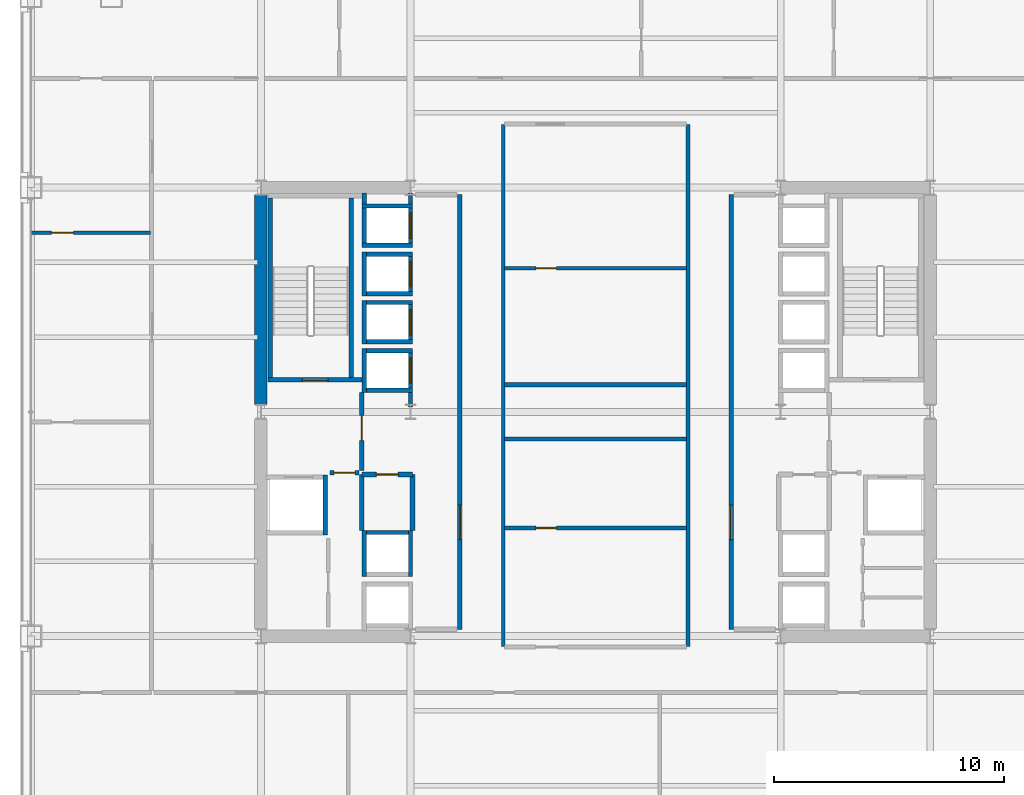
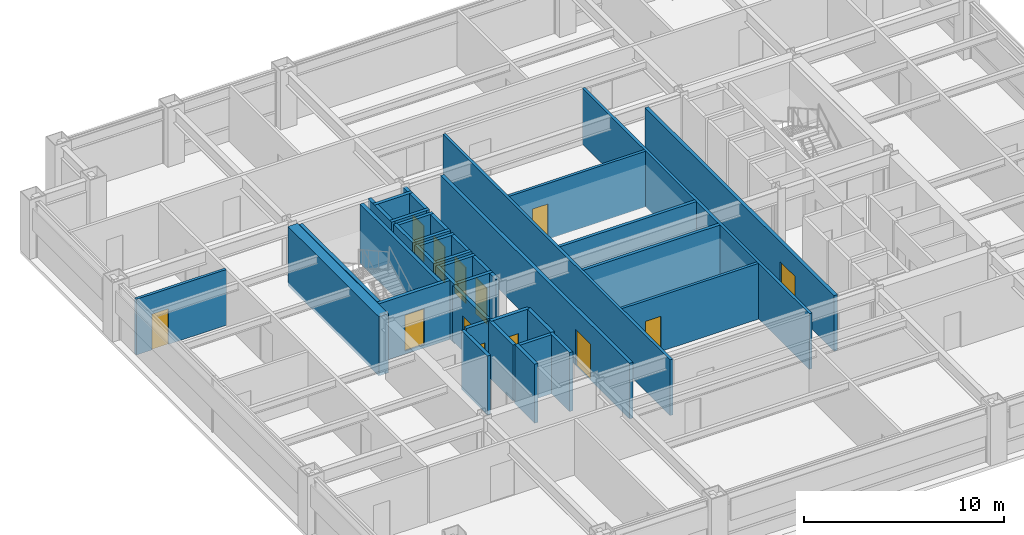
# One storey, part 25 of 28: 38 walls, 13 doors, 13 openings.
"""IFC4 building model written with IfcOpenShell, lengths in metres."""

from ifc_helpers import new_model, si_unit, direction, frame, frame_2d, origin, place, context, subcontext, project, spatial, rectangle, extrude, material, layer, layer_set, type_object, element, fill, save


model = new_model("IFC4")

# Units and contexts
model_context = context("Model", 3, precision=1e-05, world=origin(), true_north=direction((0.0, 1.0)))
body_context = subcontext(model_context, "Body", "Model", "MODEL_VIEW")
ifc_project = project(units=[si_unit("LENGTHUNIT", "METRE"), si_unit("AREAUNIT", "SQUARE_METRE"), si_unit("VOLUMEUNIT", "CUBIC_METRE"), si_unit("PLANEANGLEUNIT", "RADIAN"), si_unit("MASSUNIT", "GRAM", prefix="KILO")], contexts=[model_context])

# Site, building, storey
site_placement = place(None, origin())
site = spatial("IfcSite", under=ifc_project, at=site_placement, CompositionType="ELEMENT")
building_placement = place(site_placement, origin())
building = spatial("IfcBuilding", under=site, at=building_placement, Name="Brelmoor Portico Tower", CompositionType="ELEMENT")
storey_placement = place(building_placement, frame((0.0, 0.0, 49.199951171875)))
storey = spatial("IfcBuildingStorey", under=building, at=storey_placement, Name="L12", CompositionType="ELEMENT", Elevation=49.199951171875)

# Walls
ifc_material_1 = material(Name="Concrete C60", Category="concrete")
ifc_layer_1 = layer(ifc_material_1, 0.550048828125)
ifc_layer_set_1 = layer_set([ifc_layer_1], Name="Concrete C60")
wall_type_1 = type_object("IfcWallType", Name="WL-CORE-550", PredefinedType="SHEAR", material=ifc_layer_set_1)
wall_1_placement = place(storey_placement, frame((-14.550048828125, 0.324951171875, -0.199951171875), z_axis=(0.0, 0.0, 1.0), x_axis=(0.0, 1.0, 0.0)))
element("IfcWall", 1, at=wall_1_placement, inside=storey, type_object=wall_type_1, Name="L12 WC Outer North Shear Wall", PredefinedType="SHEAR", context=body_context, shape_type="SweptSolid", body=[
    extrude(rectangle(XDim=9.10009765625, YDim=0.550048828125, at=frame_2d((4.550048828125, 0.0))), origin(), (0.0, 0.0, 1.0), 3.60009765625),
])
ifc_material_2 = material(Name="Twin-Frame Acoustic Partition", Category="gypsum")
ifc_layer_2 = layer(ifc_material_2, 0.159912109375)
ifc_layer_set_2 = layer_set([ifc_layer_2], Name="Twin-Frame Acoustic Partition")
wall_type_2 = type_object("IfcWallType", Name="WL-PART-160", PredefinedType="PARTITIONING", material=ifc_layer_set_2)
for number, where, z_axis, x_axis, name in (
    (2, (-4.02001953125, -10.199951171875, 0.0), (0.0, 0.0, 1.0), (0.0, 1.0, 0.0), "L12 Central Suite West Wall"),
    (3, (4.02001953125, -10.199951171875, 0.0), (0.0, 0.0, 1.0), (0.0, 1.0, 0.0), "L12 Central Suite East Wall"),
):
    element("IfcWall", number, at=place(storey_placement, frame(where, z_axis=z_axis, x_axis=x_axis)), inside=storey, type_object=wall_type_2, Name=name, PredefinedType="PARTITIONING", context=body_context, shape_type="SweptSolid", body=[
        extrude(rectangle(XDim=22.699951171875, YDim=0.159912109375, at=frame_2d((11.35009765625, 0.0))), origin(), (0.0, 0.0, 1.0), 3.400146484375),
    ])

# Wall, opening, door
wall_2_placement = place(storey_placement, frame((-3.949951171875, 6.239990234375, 0.0), z_axis=(0.0, 0.0, 1.0), x_axis=(1.0, 0.0, 0.0)))
wall_2 = element("IfcWall", 4, at=wall_2_placement, inside=storey, type_object=wall_type_2, Name="L12 Central Archive Divider", PredefinedType="PARTITIONING", context=body_context, shape_type="SweptSolid", body=[
    extrude(rectangle(XDim=7.89990234375, YDim=0.159912109375, at=frame_2d((3.949951171875, 0.0))), origin(), (0.0, 0.0, 1.0), 3.400146484375),
])
opening_1_placement = place(wall_2_placement, frame((1.35009765625, 0.0, 0.0)))
opening_1 = element("IfcOpeningElement", 5, at=opening_1_placement, cuts=wall_2, Name="Opening D-IN1", PredefinedType="OPENING", context=body_context, shape_type="SweptSolid", body=[
    extrude(rectangle(XDim=0.89990234375, YDim=2.14990234375, at=frame_2d((0.449951171875, 1.074951171875))), frame((0.0, 0.08984375, 0.0), z_axis=(0.0, -1.0, 0.0), x_axis=(1.0, 0.0, 0.0)), (0.0, 0.0, 1.0), 0.179931640625),
])
ifc_material_3 = material(Name="Lacquered Timber Suite Door", Category="wood")
door_type_1 = type_object("IfcDoorType", Name="DR-INT-900", OperationType="NOTDEFINED", PredefinedType="DOOR", material=ifc_material_3)
door_1_placement = place(opening_1_placement, origin())
door_1 = element("IfcDoor", 6, at=door_1_placement, inside=storey, type_object=door_type_1, Name="D-0528 L12 Central File Room Door", OperationType="SINGLE_SWING_LEFT", OverallHeight=2.14990234375, OverallWidth=0.89990234375, PredefinedType="DOOR", context=body_context, shape_type="SweptSolid", body=[
    extrude(rectangle(XDim=0.89990234375, YDim=2.14990234375, at=frame_2d((0.449951171875, 1.074951171875))), frame((0.0, 0.02490234375, 0.0), z_axis=(0.0, -1.0, 0.0), x_axis=(1.0, 0.0, 0.0)), (0.0, 0.0, 1.0), 0.050048828125),
])
fill(opening_1, door_1)

wall_3_placement = place(storey_placement, frame((-3.949951171875, -5.050048828125, 0.0), z_axis=(0.0, 0.0, 1.0), x_axis=(1.0, 0.0, 0.0)))
wall_3 = element("IfcWall", 7, at=wall_3_placement, inside=storey, type_object=wall_type_2, Name="L12 Central Print Divider", PredefinedType="PARTITIONING", context=body_context, shape_type="SweptSolid", body=[
    extrude(rectangle(XDim=7.89990234375, YDim=0.159912109375, at=frame_2d((3.949951171875, 0.0))), origin(), (0.0, 0.0, 1.0), 3.400146484375),
])
opening_2_placement = place(wall_3_placement, frame((1.35009765625, 0.0, 0.0)))
opening_2 = element("IfcOpeningElement", 8, at=opening_2_placement, cuts=wall_3, Name="Opening D-IN1", PredefinedType="OPENING", context=body_context, shape_type="SweptSolid", body=[
    extrude(rectangle(XDim=0.89990234375, YDim=2.14990234375, at=frame_2d((0.449951171875, 1.074951171875))), frame((0.0, 0.08984375, 0.0), z_axis=(0.0, -1.0, 0.0), x_axis=(1.0, 0.0, 0.0)), (0.0, 0.0, 1.0), 0.179931640625),
])
door_2_placement = place(opening_2_placement, origin())
door_2 = element("IfcDoor", 9, at=door_2_placement, inside=storey, type_object=door_type_1, Name="D-0530 L12 Central Print Studio Door", OperationType="SINGLE_SWING_RIGHT", OverallHeight=2.14990234375, OverallWidth=0.89990234375, PredefinedType="DOOR", context=body_context, shape_type="SweptSolid", body=[
    extrude(rectangle(XDim=0.89990234375, YDim=2.14990234375, at=frame_2d((0.449951171875, 1.074951171875))), frame((0.0, 0.02490234375, 0.0), z_axis=(0.0, -1.0, 0.0), x_axis=(1.0, 0.0, 0.0)), (0.0, 0.0, 1.0), 0.050048828125),
])
fill(opening_2, door_2)

wall_4_placement = place(storey_placement, frame((-24.56005859375, 7.784912109375, 0.0), z_axis=(0.0, 0.0, 1.0), x_axis=(1.0, 0.0, 0.0)))
wall_4 = element("IfcWall", 10, at=wall_4_placement, inside=storey, type_object=wall_type_2, Name="L12 W Wing Partition 2", PredefinedType="PARTITIONING", context=body_context, shape_type="SweptSolid", body=[
    extrude(rectangle(XDim=5.199951171875, YDim=0.159912109375, at=frame_2d((2.60009765625, 0.0))), origin(), (0.0, 0.0, 1.0), 3.400146484375),
])
opening_3_placement = place(wall_4_placement, frame((0.89990234375, 0.0, 0.0)))
opening_3 = element("IfcOpeningElement", 11, at=opening_3_placement, cuts=wall_4, Name="Opening D-IN2", PredefinedType="OPENING", context=body_context, shape_type="SweptSolid", body=[
    extrude(rectangle(XDim=0.9599609375, YDim=2.179931640625, at=frame_2d((0.47998046875, 1.08984375))), frame((0.0, 0.08984375, 0.0), z_axis=(0.0, -1.0, 0.0), x_axis=(1.0, 0.0, 0.0)), (0.0, 0.0, 1.0), 0.179931640625),
])
door_type_2 = type_object("IfcDoorType", Name="DR-INT-950", OperationType="NOTDEFINED", PredefinedType="DOOR", material=ifc_material_3)
door_3_placement = place(opening_3_placement, origin())
door_3 = element("IfcDoor", 12, at=door_3_placement, inside=storey, type_object=door_type_2, Name="D-0568 L12 W Wing Suite Connecting Door 2", OperationType="SINGLE_SWING_RIGHT", OverallHeight=2.179931640625, OverallWidth=0.9599609375, PredefinedType="DOOR", context=body_context, shape_type="SweptSolid", body=[
    extrude(rectangle(XDim=0.9599609375, YDim=2.179931640625, at=frame_2d((0.47998046875, 1.08984375))), frame((0.0, 0.02490234375, 0.0), z_axis=(0.0, -1.0, 0.0), x_axis=(1.0, 0.0, 0.0)), (0.0, 0.0, 1.0), 0.050048828125),
])
fill(opening_3, door_3)

# Walls
ifc_material_4 = material(Name="Acoustic Corridor Fire Partition", Category="gypsum")
ifc_layer_3 = layer(ifc_material_4, 0.179931640625)
ifc_layer_set_3 = layer_set([ifc_layer_3], Name="Acoustic Corridor Fire Partition")
wall_type_3 = type_object("IfcWallType", Name="WL-PART-180", PredefinedType="PARTITIONING", material=ifc_layer_set_3)
for number, where, z_axis, x_axis, name in (
    (13, (-3.949951171875, 1.179931640625, 0.0), (0.0, 0.0, 1.0), (1.0, 0.0, 0.0), "L12 Central Meeting South Wall"),
    (14, (-3.949951171875, -1.179931640625, 0.0), (0.0, 0.0, 1.0), (1.0, 0.0, 0.0), "L12 Central Pantry North Wall"),
):
    element("IfcWall", number, at=place(storey_placement, frame(where, z_axis=z_axis, x_axis=x_axis)), inside=storey, type_object=wall_type_3, Name=name, PredefinedType="PARTITIONING", context=body_context, shape_type="SweptSolid", body=[
        extrude(rectangle(XDim=7.89990234375, YDim=0.179931640625, at=frame_2d((3.949951171875, 0.0))), origin(), (0.0, 0.0, 1.0), 3.400146484375),
    ])

# Wall, opening, door
ifc_material_5 = material(Name="Double-Stud Gypsum Fire Partition", Category="gypsum")
ifc_layer_4 = layer(ifc_material_5, 0.199951171875)
ifc_layer_set_4 = layer_set([ifc_layer_4], Name="Double-Stud Gypsum Fire Partition")
wall_type_4 = type_object("IfcWallType", Name="WL-PART-200", PredefinedType="PARTITIONING", material=ifc_layer_set_4)
wall_5_placement = place(storey_placement, frame((-5.89990234375, -9.449951171875, 0.0), z_axis=(0.0, 0.0, 1.0), x_axis=(0.0, 1.0, 0.0)))
wall_5 = element("IfcWall", 15, at=wall_5_placement, inside=storey, type_object=wall_type_4, Name="L12 W Core Lobby Compartment Wall", PredefinedType="PARTITIONING", context=body_context, shape_type="SweptSolid", body=[
    extrude(rectangle(XDim=18.89990234375, YDim=0.199951171875, at=frame_2d((9.449951171875, 0.0))), origin(), (0.0, 0.0, 1.0), 3.400146484375),
])
opening_4_placement = place(wall_5_placement, frame((3.89990234375, 0.0, 0.0)))
opening_4 = element("IfcOpeningElement", 16, at=opening_4_placement, cuts=wall_5, Name="Opening D-LB1", PredefinedType="OPENING", context=body_context, shape_type="SweptSolid", body=[
    extrude(rectangle(XDim=1.5, YDim=2.199951171875, at=frame_2d((0.75, 1.10009765625))), frame((0.0, 0.10986328125, 0.0), z_axis=(0.0, -1.0, 0.0), x_axis=(1.0, 0.0, 0.0)), (0.0, 0.0, 1.0), 0.219970703125),
])
ifc_material_6 = material(Name="Double-Leaf Glazed Steel Fire Door", Category="steel")
door_type_3 = type_object("IfcDoorType", Name="DR-LOBBY-1500", OperationType="NOTDEFINED", PredefinedType="DOOR", material=ifc_material_6)
door_4_placement = place(opening_4_placement, origin())
door_4 = element("IfcDoor", 17, at=door_4_placement, inside=storey, type_object=door_type_3, Name="D-0542 L12 W Lift Lobby Main Door", OperationType="DOUBLE_DOOR_SINGLE_SWING", OverallHeight=2.199951171875, OverallWidth=1.5, PredefinedType="DOOR", context=body_context, shape_type="SweptSolid", body=[
    extrude(rectangle(XDim=1.5, YDim=2.199951171875, at=frame_2d((0.75, 1.10009765625))), frame((0.0, 0.02490234375, 0.0), z_axis=(0.0, -1.0, 0.0), x_axis=(1.0, 0.0, 0.0)), (0.0, 0.0, 1.0), 0.050048828125),
])
fill(opening_4, door_4)

wall_6_placement = place(storey_placement, frame((-10.159912109375, -2.550048828125, 0.0), z_axis=(0.0, 0.0, 1.0), x_axis=(0.0, 1.0, 0.0)))
wall_6 = element("IfcWall", 18, at=wall_6_placement, inside=storey, type_object=wall_type_4, Name="L12 W Firefighting Lobby Wall", PredefinedType="PARTITIONING", context=body_context, shape_type="SweptSolid", body=[
    extrude(rectangle(XDim=3.400146484375, YDim=0.199951171875, at=frame_2d((1.7001953125, 0.0))), origin(), (0.0, 0.0, 1.0), 3.400146484375),
])
opening_5_placement = place(wall_6_placement, frame((1.300048828125, 0.0, 0.0)))
opening_5 = element("IfcOpeningElement", 19, at=opening_5_placement, cuts=wall_6, Name="Opening D-FR1", PredefinedType="OPENING", context=body_context, shape_type="SweptSolid", body=[
    extrude(rectangle(XDim=1.10009765625, YDim=2.14990234375, at=frame_2d((0.550048828125, 1.074951171875))), frame((0.0, 0.10986328125, 0.0), z_axis=(0.0, -1.0, 0.0), x_axis=(1.0, 0.0, 0.0)), (0.0, 0.0, 1.0), 0.219970703125),
])
ifc_material_7 = material(Name="Painted Galvanised Steel Fire Door", Category="steel")
door_type_4 = type_object("IfcDoorType", Name="DR-FIRE-1100", OperationType="NOTDEFINED", PredefinedType="DOOR", material=ifc_material_7)
door_5_placement = place(opening_5_placement, origin())
door_5 = element("IfcDoor", 20, at=door_5_placement, inside=storey, type_object=door_type_4, Name="D-0540 L12 W Firefighting Lobby Door", OperationType="SINGLE_SWING_LEFT", OverallHeight=2.14990234375, OverallWidth=1.10009765625, PredefinedType="DOOR", context=body_context, shape_type="SweptSolid", body=[
    extrude(rectangle(XDim=1.10009765625, YDim=2.14990234375, at=frame_2d((0.550048828125, 1.074951171875))), frame((0.0, 0.02490234375, 0.0), z_axis=(0.0, -1.0, 0.0), x_axis=(1.0, 0.0, 0.0)), (0.0, 0.0, 1.0), 0.050048828125),
])
fill(opening_5, door_5)

wall_7_placement = place(storey_placement, frame((-10.280029296875, -2.64990234375, 0.0), z_axis=(0.0, 0.0, 1.0), x_axis=(-1.0, 0.0, 0.0)))
wall_7 = element("IfcWall", 21, at=wall_7_placement, inside=storey, type_object=wall_type_4, Name="L12 W Firefighting Lobby South Wall", PredefinedType="PARTITIONING", context=body_context, shape_type="SweptSolid", body=[
    extrude(rectangle(XDim=1.27001953125, YDim=0.199951171875, at=frame_2d((0.635009765625, 0.0))), origin(), (0.0, 0.0, 1.0), 3.400146484375),
])
opening_6_placement = place(wall_7_placement, frame((0.18505859375, 0.0, 0.0)))
opening_6 = element("IfcOpeningElement", 22, at=opening_6_placement, cuts=wall_7, Name="Opening D-IN1", PredefinedType="OPENING", context=body_context, shape_type="SweptSolid", body=[
    extrude(rectangle(XDim=0.89990234375, YDim=2.14990234375, at=frame_2d((0.449951171875, 1.074951171875))), frame((0.0, 0.10986328125, 0.0), z_axis=(0.0, -1.0, 0.0), x_axis=(1.0, 0.0, 0.0)), (0.0, 0.0, 1.0), 0.219970703125),
])
door_6_placement = place(opening_6_placement, origin())
door_6 = element("IfcDoor", 23, at=door_6_placement, inside=storey, type_object=door_type_1, Name="D-0535 L12 W Core Service Vestibule Door", OperationType="SINGLE_SWING_RIGHT", OverallHeight=2.14990234375, OverallWidth=0.89990234375, PredefinedType="DOOR", context=body_context, shape_type="SweptSolid", body=[
    extrude(rectangle(XDim=0.89990234375, YDim=2.14990234375, at=frame_2d((0.449951171875, 1.074951171875))), frame((0.0, 0.02490234375, 0.0), z_axis=(0.0, -1.0, 0.0), x_axis=(1.0, 0.0, 0.0)), (0.0, 0.0, 1.0), 0.050048828125),
])
fill(opening_6, door_6)

wall_8_placement = place(storey_placement, frame((-7.9599609375, -2.719970703125, 0.0), z_axis=(0.0, 0.0, 1.0), x_axis=(-1.0, 0.0, 0.0)))
wall_8 = element("IfcWall", 24, at=wall_8_placement, inside=storey, type_object=wall_type_4, Name="L12 W Electrical Switchgear Closet Wall", PredefinedType="PARTITIONING", context=body_context, shape_type="SweptSolid", body=[
    extrude(rectangle(XDim=2.199951171875, YDim=0.199951171875, at=frame_2d((1.10009765625, 0.0))), origin(), (0.0, 0.0, 1.0), 3.400146484375),
])
opening_7_placement = place(wall_8_placement, frame((0.6201171875, 0.0, 0.0)))
opening_7 = element("IfcOpeningElement", 25, at=opening_7_placement, cuts=wall_8, Name="Opening D-FR4", PredefinedType="OPENING", context=body_context, shape_type="SweptSolid", body=[
    extrude(rectangle(XDim=0.949951171875, YDim=2.10009765625, at=frame_2d((0.47509765625, 1.050048828125))), frame((0.0, 0.10986328125, 0.0), z_axis=(0.0, -1.0, 0.0), x_axis=(1.0, 0.0, 0.0)), (0.0, 0.0, 1.0), 0.219970703125),
])
ifc_material_8 = material(Name="Painted Galvanised Steel Riser Door", Category="steel")
door_type_5 = type_object("IfcDoorType", Name="DR-FIRE-950", OperationType="NOTDEFINED", PredefinedType="DOOR", material=ifc_material_8)
door_7_placement = place(opening_7_placement, origin())
door_7 = element("IfcDoor", 26, at=door_7_placement, inside=storey, type_object=door_type_5, Name="D-0538 L12 W Electrical Switchgear Closet Door", OperationType="SINGLE_SWING_LEFT", OverallHeight=2.10009765625, OverallWidth=0.949951171875, PredefinedType="DOOR", context=body_context, shape_type="SweptSolid", body=[
    extrude(rectangle(XDim=0.949951171875, YDim=2.10009765625, at=frame_2d((0.47509765625, 1.050048828125))), frame((0.0, 0.02490234375, 0.0), z_axis=(0.0, -1.0, 0.0), x_axis=(1.0, 0.0, 0.0)), (0.0, 0.0, 1.0), 0.050048828125),
])
fill(opening_7, door_7)

# Walls
for number, where, z_axis, x_axis, name in (
    (27, (-7.9599609375, -5.159912109375, 0.0), (0.0, 0.0, 1.0), (0.0, 1.0, 0.0), "L12 W Electrical Switchgear Closet Inner Wall"),
    (28, (-10.159912109375, -5.159912109375, 0.0), (0.0, 0.0, 1.0), (0.0, 1.0, 0.0), "L12 W Electrical Switchgear Closet Outer Wall"),
):
    element("IfcWall", number, at=place(storey_placement, frame(where, z_axis=z_axis, x_axis=x_axis)), inside=storey, type_object=wall_type_4, Name=name, PredefinedType="PARTITIONING", context=body_context, shape_type="SweptSolid", body=[
        extrude(rectangle(XDim=2.43994140625, YDim=0.199951171875, at=frame_2d((1.219970703125, 0.0))), origin(), (0.0, 0.0, 1.0), 3.400146484375),
    ])

# Wall, opening, door
wall_9_placement = place(storey_placement, frame((5.89990234375, -9.449951171875, 0.0), z_axis=(0.0, 0.0, 1.0), x_axis=(0.0, 1.0, 0.0)))
wall_9 = element("IfcWall", 29, at=wall_9_placement, inside=storey, type_object=wall_type_4, Name="L12 E Core Lobby Compartment Wall", PredefinedType="PARTITIONING", context=body_context, shape_type="SweptSolid", body=[
    extrude(rectangle(XDim=18.89990234375, YDim=0.199951171875, at=frame_2d((9.449951171875, 0.0))), origin(), (0.0, 0.0, 1.0), 3.400146484375),
])
opening_8_placement = place(wall_9_placement, frame((3.89990234375, 0.0, 0.0)))
opening_8 = element("IfcOpeningElement", 30, at=opening_8_placement, cuts=wall_9, Name="Opening D-LB1", PredefinedType="OPENING", context=body_context, shape_type="SweptSolid", body=[
    extrude(rectangle(XDim=1.5, YDim=2.199951171875, at=frame_2d((0.75, 1.10009765625))), frame((0.0, 0.10986328125, 0.0), z_axis=(0.0, -1.0, 0.0), x_axis=(1.0, 0.0, 0.0)), (0.0, 0.0, 1.0), 0.219970703125),
])
door_8_placement = place(opening_8_placement, origin())
door_8 = element("IfcDoor", 31, at=door_8_placement, inside=storey, type_object=door_type_3, Name="D-0541 L12 E Lift Lobby Main Door", OperationType="DOUBLE_DOOR_SINGLE_SWING", OverallHeight=2.199951171875, OverallWidth=1.5, PredefinedType="DOOR", context=body_context, shape_type="SweptSolid", body=[
    extrude(rectangle(XDim=1.5, YDim=2.199951171875, at=frame_2d((0.75, 1.10009765625))), frame((0.0, 0.02490234375, 0.0), z_axis=(0.0, -1.0, 0.0), x_axis=(1.0, 0.0, 0.0)), (0.0, 0.0, 1.0), 0.050048828125),
])
fill(opening_8, door_8)

ifc_material_9 = material(Name="Precast Concrete C40", Category="concrete")
ifc_layer_5 = layer(ifc_material_9, 0.18994140625)
ifc_layer_set_5 = layer_set([ifc_layer_5], Name="Precast Concrete C40")
wall_type_5 = type_object("IfcWallType", Name="WL-SHAFT-180", PredefinedType="SOLIDWALL", material=ifc_layer_set_5)
wall_10_placement = place(storey_placement, frame((-8.044921875, 0.2099609375, -0.199951171875), z_axis=(0.0, 0.0, 1.0), x_axis=(0.0, 1.0, 0.0)))
wall_10 = element("IfcWall", 32, at=wall_10_placement, inside=storey, type_object=wall_type_5, Name="L12 Lift PL1 Hoistway Front Wall", PredefinedType="SOLIDWALL", context=body_context, shape_type="SweptSolid", body=[
    extrude(rectangle(XDim=2.5400390625, YDim=0.18994140625, at=frame_2d((1.27001953125, 0.0))), origin(), (0.0, 0.0, 1.0), 3.60009765625),
])
opening_9_placement = place(wall_10_placement, frame((1.0400390625, 0.0, 0.199951171875)))
opening_9 = element("IfcOpeningElement", 33, at=opening_9_placement, cuts=wall_10, Name="Opening LD-01", PredefinedType="OPENING", context=body_context, shape_type="SweptSolid", body=[
    extrude(rectangle(XDim=1.10009765625, YDim=2.199951171875, at=frame_2d((0.550048828125, 1.10009765625))), frame((0.0, 0.10498046875, 0.0), z_axis=(0.0, -1.0, 0.0), x_axis=(1.0, 0.0, 0.0)), (0.0, 0.0, 1.0), 0.2099609375),
])
ifc_material_10 = material(Name="Brushed Stainless Steel Sliding Lift Door", Category="steel")
door_type_6 = type_object("IfcDoorType", Name="DR-LIFT-1100", OperationType="NOTDEFINED", PredefinedType="DOOR", material=ifc_material_10)
door_9_placement = place(opening_9_placement, origin())
door_9 = element("IfcDoor", 34, at=door_9_placement, inside=storey, type_object=door_type_6, Name="D-0571 L12 Lift PL1 Sliding Landing Door", OperationType="SLIDING_TO_LEFT", OverallHeight=2.199951171875, OverallWidth=1.10009765625, PredefinedType="DOOR", context=body_context, shape_type="SweptSolid", body=[
    extrude(rectangle(XDim=1.10009765625, YDim=2.199951171875, at=frame_2d((0.550048828125, 1.10009765625))), frame((0.0, 0.02490234375, 0.0), z_axis=(0.0, -1.0, 0.0), x_axis=(1.0, 0.0, 0.0)), (0.0, 0.0, 1.0), 0.050048828125),
])
fill(opening_9, door_9)

# Walls
wall_11_placement = place(storey_placement, frame((-10.054931640625, 0.85009765625, -0.199951171875), z_axis=(0.0, 0.0, 1.0), x_axis=(0.0, 1.0, 0.0)))
element("IfcWall", 35, at=wall_11_placement, inside=storey, type_object=wall_type_5, Name="L12 Lift PL1 Hoistway Back Wall", PredefinedType="SOLIDWALL", context=body_context, shape_type="SweptSolid", body=[
    extrude(rectangle(XDim=1.89990234375, YDim=0.18994140625, at=frame_2d((0.949951171875, 0.0))), origin(), (0.0, 0.0, 1.0), 3.60009765625),
])
for number, where, z_axis, x_axis, name in (
    (36, (-10.14990234375, 2.655029296875, -0.199951171875), (0.0, 0.0, 1.0), (1.0, 0.0, 0.0), "L12 Lift PL1 Hoistway North Wall"),
    (37, (-10.14990234375, 0.945068359375, -0.199951171875), (0.0, 0.0, 1.0), (1.0, 0.0, 0.0), "L12 Lift PL1 Hoistway South Wall"),
):
    element("IfcWall", number, at=place(storey_placement, frame(where, z_axis=z_axis, x_axis=x_axis)), inside=storey, type_object=wall_type_5, Name=name, PredefinedType="SOLIDWALL", context=body_context, shape_type="SweptSolid", body=[
        extrude(rectangle(XDim=2.199951171875, YDim=0.18994140625, at=frame_2d((1.10009765625, 0.0))), origin(), (0.0, 0.0, 1.0), 3.60009765625),
    ])

# Wall, opening, door
wall_12_placement = place(storey_placement, frame((-8.044921875, 2.949951171875, -0.199951171875), z_axis=(0.0, 0.0, 1.0), x_axis=(0.0, 1.0, 0.0)))
wall_12 = element("IfcWall", 38, at=wall_12_placement, inside=storey, type_object=wall_type_5, Name="L12 Lift PL2 Hoistway Front Wall", PredefinedType="SOLIDWALL", context=body_context, shape_type="SweptSolid", body=[
    extrude(rectangle(XDim=1.900146484375, YDim=0.18994140625, at=frame_2d((0.9501953125, 0.0))), origin(), (0.0, 0.0, 1.0), 3.60009765625),
])
opening_10_placement = place(wall_12_placement, frame((0.39990234375, 0.0, 0.199951171875)))
opening_10 = element("IfcOpeningElement", 39, at=opening_10_placement, cuts=wall_12, Name="Opening LD-01", PredefinedType="OPENING", context=body_context, shape_type="SweptSolid", body=[
    extrude(rectangle(XDim=1.10009765625, YDim=2.199951171875, at=frame_2d((0.550048828125, 1.10009765625))), frame((0.0, 0.10498046875, 0.0), z_axis=(0.0, -1.0, 0.0), x_axis=(1.0, 0.0, 0.0)), (0.0, 0.0, 1.0), 0.2099609375),
])
door_10_placement = place(opening_10_placement, origin())
door_10 = element("IfcDoor", 40, at=door_10_placement, inside=storey, type_object=door_type_6, Name="D-0572 L12 Lift PL2 Sliding Landing Door", OperationType="SLIDING_TO_LEFT", OverallHeight=2.199951171875, OverallWidth=1.10009765625, PredefinedType="DOOR", context=body_context, shape_type="SweptSolid", body=[
    extrude(rectangle(XDim=1.10009765625, YDim=2.199951171875, at=frame_2d((0.550048828125, 1.10009765625))), frame((0.0, 0.02490234375, 0.0), z_axis=(0.0, -1.0, 0.0), x_axis=(1.0, 0.0, 0.0)), (0.0, 0.0, 1.0), 0.050048828125),
])
fill(opening_10, door_10)

# Walls
wall_13_placement = place(storey_placement, frame((-10.054931640625, 2.949951171875, -0.199951171875), z_axis=(0.0, 0.0, 1.0), x_axis=(0.0, 1.0, 0.0)))
element("IfcWall", 41, at=wall_13_placement, inside=storey, type_object=wall_type_5, Name="L12 Lift PL2 Hoistway Back Wall", PredefinedType="SOLIDWALL", context=body_context, shape_type="SweptSolid", body=[
    extrude(rectangle(XDim=1.900146484375, YDim=0.18994140625, at=frame_2d((0.9501953125, 0.0))), origin(), (0.0, 0.0, 1.0), 3.60009765625),
])
for number, where, z_axis, x_axis, name in (
    (42, (-10.14990234375, 4.7548828125, -0.199951171875), (0.0, 0.0, 1.0), (1.0, 0.0, 0.0), "L12 Lift PL2 Hoistway North Wall"),
    (43, (-10.14990234375, 3.044921875, -0.199951171875), (0.0, 0.0, 1.0), (1.0, 0.0, 0.0), "L12 Lift PL2 Hoistway South Wall"),
):
    element("IfcWall", number, at=place(storey_placement, frame(where, z_axis=z_axis, x_axis=x_axis)), inside=storey, type_object=wall_type_5, Name=name, PredefinedType="SOLIDWALL", context=body_context, shape_type="SweptSolid", body=[
        extrude(rectangle(XDim=2.199951171875, YDim=0.18994140625, at=frame_2d((1.10009765625, 0.0))), origin(), (0.0, 0.0, 1.0), 3.60009765625),
    ])

# Wall, opening, door
wall_14_placement = place(storey_placement, frame((-8.044921875, 5.050048828125, -0.199951171875), z_axis=(0.0, 0.0, 1.0), x_axis=(0.0, 1.0, 0.0)))
wall_14 = element("IfcWall", 44, at=wall_14_placement, inside=storey, type_object=wall_type_5, Name="L12 Lift PL3 Hoistway Front Wall", PredefinedType="SOLIDWALL", context=body_context, shape_type="SweptSolid", body=[
    extrude(rectangle(XDim=1.89990234375, YDim=0.18994140625, at=frame_2d((0.949951171875, 0.0))), origin(), (0.0, 0.0, 1.0), 3.60009765625),
])
opening_11_placement = place(wall_14_placement, frame((0.39990234375, 0.0, 0.199951171875)))
opening_11 = element("IfcOpeningElement", 45, at=opening_11_placement, cuts=wall_14, Name="Opening LD-01", PredefinedType="OPENING", context=body_context, shape_type="SweptSolid", body=[
    extrude(rectangle(XDim=1.10009765625, YDim=2.199951171875, at=frame_2d((0.550048828125, 1.10009765625))), frame((0.0, 0.10498046875, 0.0), z_axis=(0.0, -1.0, 0.0), x_axis=(1.0, 0.0, 0.0)), (0.0, 0.0, 1.0), 0.2099609375),
])
door_11_placement = place(opening_11_placement, origin())
door_11 = element("IfcDoor", 46, at=door_11_placement, inside=storey, type_object=door_type_6, Name="D-0573 L12 Lift PL3 Sliding Landing Door", OperationType="SLIDING_TO_LEFT", OverallHeight=2.199951171875, OverallWidth=1.10009765625, PredefinedType="DOOR", context=body_context, shape_type="SweptSolid", body=[
    extrude(rectangle(XDim=1.10009765625, YDim=2.199951171875, at=frame_2d((0.550048828125, 1.10009765625))), frame((0.0, 0.02490234375, 0.0), z_axis=(0.0, -1.0, 0.0), x_axis=(1.0, 0.0, 0.0)), (0.0, 0.0, 1.0), 0.050048828125),
])
fill(opening_11, door_11)

# Walls
wall_15_placement = place(storey_placement, frame((-10.054931640625, 5.050048828125, -0.199951171875), z_axis=(0.0, 0.0, 1.0), x_axis=(0.0, 1.0, 0.0)))
element("IfcWall", 47, at=wall_15_placement, inside=storey, type_object=wall_type_5, Name="L12 Lift PL3 Hoistway Back Wall", PredefinedType="SOLIDWALL", context=body_context, shape_type="SweptSolid", body=[
    extrude(rectangle(XDim=1.89990234375, YDim=0.18994140625, at=frame_2d((0.949951171875, 0.0))), origin(), (0.0, 0.0, 1.0), 3.60009765625),
])
for number, where, z_axis, x_axis, name in (
    (48, (-10.14990234375, 6.85498046875, -0.199951171875), (0.0, 0.0, 1.0), (1.0, 0.0, 0.0), "L12 Lift PL3 Hoistway North Wall"),
    (49, (-10.14990234375, 5.14501953125, -0.199951171875), (0.0, 0.0, 1.0), (1.0, 0.0, 0.0), "L12 Lift PL3 Hoistway South Wall"),
):
    element("IfcWall", number, at=place(storey_placement, frame(where, z_axis=z_axis, x_axis=x_axis)), inside=storey, type_object=wall_type_5, Name=name, PredefinedType="SOLIDWALL", context=body_context, shape_type="SweptSolid", body=[
        extrude(rectangle(XDim=2.199951171875, YDim=0.18994140625, at=frame_2d((1.10009765625, 0.0))), origin(), (0.0, 0.0, 1.0), 3.60009765625),
    ])

# Wall, opening, door
wall_16_placement = place(storey_placement, frame((-8.044921875, 7.14990234375, -0.199951171875), z_axis=(0.0, 0.0, 1.0), x_axis=(0.0, 1.0, 0.0)))
wall_16 = element("IfcWall", 50, at=wall_16_placement, inside=storey, type_object=wall_type_5, Name="L12 Lift PL4 Hoistway Front Wall", PredefinedType="SOLIDWALL", context=body_context, shape_type="SweptSolid", body=[
    extrude(rectangle(XDim=2.3701171875, YDim=0.18994140625, at=frame_2d((1.18505859375, 0.0))), origin(), (0.0, 0.0, 1.0), 3.60009765625),
])
opening_12_placement = place(wall_16_placement, frame((0.39990234375, 0.0, 0.199951171875)))
opening_12 = element("IfcOpeningElement", 51, at=opening_12_placement, cuts=wall_16, Name="Opening LD-01", PredefinedType="OPENING", context=body_context, shape_type="SweptSolid", body=[
    extrude(rectangle(XDim=1.10009765625, YDim=2.199951171875, at=frame_2d((0.550048828125, 1.10009765625))), frame((0.0, 0.10498046875, 0.0), z_axis=(0.0, -1.0, 0.0), x_axis=(1.0, 0.0, 0.0)), (0.0, 0.0, 1.0), 0.2099609375),
])
door_12_placement = place(opening_12_placement, origin())
door_12 = element("IfcDoor", 52, at=door_12_placement, inside=storey, type_object=door_type_6, Name="D-0574 L12 Lift PL4 Sliding Landing Door", OperationType="SLIDING_TO_LEFT", OverallHeight=2.199951171875, OverallWidth=1.10009765625, PredefinedType="DOOR", context=body_context, shape_type="SweptSolid", body=[
    extrude(rectangle(XDim=1.10009765625, YDim=2.199951171875, at=frame_2d((0.550048828125, 1.10009765625))), frame((0.0, 0.02490234375, 0.0), z_axis=(0.0, -1.0, 0.0), x_axis=(1.0, 0.0, 0.0)), (0.0, 0.0, 1.0), 0.050048828125),
])
fill(opening_12, door_12)

# Walls
wall_17_placement = place(storey_placement, frame((-10.054931640625, 7.14990234375, -0.199951171875), z_axis=(0.0, 0.0, 1.0), x_axis=(0.0, 1.0, 0.0)))
element("IfcWall", 53, at=wall_17_placement, inside=storey, type_object=wall_type_5, Name="L12 Lift PL4 Hoistway Back Wall", PredefinedType="SOLIDWALL", context=body_context, shape_type="SweptSolid", body=[
    extrude(rectangle(XDim=2.3701171875, YDim=0.18994140625, at=frame_2d((1.18505859375, 0.0))), origin(), (0.0, 0.0, 1.0), 3.60009765625),
])
for number, where, z_axis, x_axis, name in (
    (54, (-10.14990234375, 8.955078125, -0.199951171875), (0.0, 0.0, 1.0), (1.0, 0.0, 0.0), "L12 Lift PL4 Hoistway North Wall"),
    (55, (-10.14990234375, 7.2451171875, -0.199951171875), (0.0, 0.0, 1.0), (1.0, 0.0, 0.0), "L12 Lift PL4 Hoistway South Wall"),
):
    element("IfcWall", number, at=place(storey_placement, frame(where, z_axis=z_axis, x_axis=x_axis)), inside=storey, type_object=wall_type_5, Name=name, PredefinedType="SOLIDWALL", context=body_context, shape_type="SweptSolid", body=[
        extrude(rectangle(XDim=2.199951171875, YDim=0.18994140625, at=frame_2d((1.10009765625, 0.0))), origin(), (0.0, 0.0, 1.0), 3.60009765625),
    ])
for number, where, z_axis, x_axis, name in (
    (56, (-8.044921875, -7.14990234375, -0.199951171875), (0.0, 0.0, 1.0), (0.0, 1.0, 0.0), "L12 Lift PH2 Hoistway Front Wall"),
    (57, (-10.054931640625, -7.14990234375, -0.199951171875), (0.0, 0.0, 1.0), (0.0, 1.0, 0.0), "L12 Lift PH2 Hoistway Back Wall"),
):
    element("IfcWall", number, at=place(storey_placement, frame(where, z_axis=z_axis, x_axis=x_axis)), inside=storey, type_object=wall_type_5, Name=name, PredefinedType="SOLIDWALL", context=body_context, shape_type="SweptSolid", body=[
        extrude(rectangle(XDim=2.0, YDim=0.18994140625, at=frame_2d((1.0, 0.0))), origin(), (0.0, 0.0, 1.0), 3.60009765625),
    ])
wall_18_placement = place(storey_placement, frame((-10.14990234375, -5.2451171875, -0.199951171875), z_axis=(0.0, 0.0, 1.0), x_axis=(1.0, 0.0, 0.0)))
element("IfcWall", 58, at=wall_18_placement, inside=storey, type_object=wall_type_5, Name="L12 Lift PH2 Hoistway North Wall", PredefinedType="SOLIDWALL", context=body_context, shape_type="SweptSolid", body=[
    extrude(rectangle(XDim=2.199951171875, YDim=0.18994140625, at=frame_2d((1.10009765625, 0.0))), origin(), (0.0, 0.0, 1.0), 3.60009765625),
])
wall_19_placement = place(storey_placement, frame((-11.7451171875, -5.35009765625, -0.199951171875), z_axis=(0.0, 0.0, 1.0), x_axis=(0.0, 1.0, 0.0)))
element("IfcWall", 59, at=wall_19_placement, inside=storey, type_object=wall_type_5, Name="L12 Firefighting Lift FF1 Inner Wall", PredefinedType="SOLIDWALL", context=body_context, shape_type="SweptSolid", body=[
    extrude(rectangle(XDim=2.60009765625, YDim=0.18994140625, at=frame_2d((1.300048828125, 0.0))), origin(), (0.0, 0.0, 1.0), 3.60009765625),
])
ifc_material_11 = material(Name="Concrete C40", Category="concrete")
ifc_layer_6 = layer(ifc_material_11, 0.199951171875)
ifc_layer_set_6 = layer_set([ifc_layer_6], Name="Concrete C40")
wall_type_6 = type_object("IfcWallType", Name="WL-SHAFT-RC200", PredefinedType="SOLIDWALL", material=ifc_layer_set_6)
wall_20_placement = place(storey_placement, frame((-14.14990234375, 1.5, -0.199951171875), z_axis=(0.0, 0.0, 1.0), x_axis=(0.0, 1.0, 0.0)))
element("IfcWall", 60, at=wall_20_placement, inside=storey, type_object=wall_type_6, Name="L12 ST-W Structural Stair Wall Outer", PredefinedType="SOLIDWALL", context=body_context, shape_type="SweptSolid", body=[
    extrude(rectangle(XDim=7.800048828125, YDim=0.199951171875, at=frame_2d((3.89990234375, 0.0))), origin(), (0.0, 0.0, 1.0), 3.60009765625),
])

# Wall, opening, door
wall_21_placement = place(storey_placement, frame((-14.25, 1.39990234375, -0.199951171875), z_axis=(0.0, 0.0, 1.0), x_axis=(1.0, 0.0, 0.0)))
wall_21 = element("IfcWall", 61, at=wall_21_placement, inside=storey, type_object=wall_type_6, Name="L12 ST-W Structural Stair Wall S", PredefinedType="SOLIDWALL", context=body_context, shape_type="SweptSolid", body=[
    extrude(rectangle(XDim=4.10009765625, YDim=0.199951171875, at=frame_2d((2.050048828125, 0.0))), origin(), (0.0, 0.0, 1.0), 3.60009765625),
])
opening_13_placement = place(wall_21_placement, frame((1.5, 0.0, 0.199951171875)))
opening_13 = element("IfcOpeningElement", 62, at=opening_13_placement, cuts=wall_21, Name="Opening D-ST1", PredefinedType="OPENING", context=body_context, shape_type="SweptSolid", body=[
    extrude(rectangle(XDim=1.1201171875, YDim=2.179931640625, at=frame_2d((0.56005859375, 1.08984375))), frame((0.0, 0.10986328125, 0.0), z_axis=(0.0, -1.0, 0.0), x_axis=(1.0, 0.0, 0.0)), (0.0, 0.0, 1.0), 0.219970703125),
])
door_type_7 = type_object("IfcDoorType", Name="DR-STAIR-1100", OperationType="NOTDEFINED", PredefinedType="DOOR", material=ifc_material_7)
door_13_placement = place(opening_13_placement, origin())
door_13 = element("IfcDoor", 63, at=door_13_placement, inside=storey, type_object=door_type_7, Name="D-0558 L12 ST-W Protected Exit Stair Door", OperationType="SINGLE_SWING_LEFT", OverallHeight=2.179931640625, OverallWidth=1.1201171875, PredefinedType="DOOR", context=body_context, shape_type="SweptSolid", body=[
    extrude(rectangle(XDim=1.1201171875, YDim=2.179931640625, at=frame_2d((0.56005859375, 1.08984375))), frame((0.0, 0.02490234375, 0.0), z_axis=(0.0, -1.0, 0.0), x_axis=(1.0, 0.0, 0.0)), (0.0, 0.0, 1.0), 0.050048828125),
])
fill(opening_13, door_13)

# Wall
wall_22_placement = place(storey_placement, frame((-10.6298828125, 1.5, -0.199951171875), z_axis=(0.0, 0.0, 1.0), x_axis=(0.0, 1.0, 0.0)))
element("IfcWall", 64, at=wall_22_placement, inside=storey, type_object=wall_type_6, Name="L12 ST-W Structural Stair Wall Inner", PredefinedType="SOLIDWALL", context=body_context, shape_type="SweptSolid", body=[
    extrude(rectangle(XDim=7.800048828125, YDim=0.199951171875, at=frame_2d((3.89990234375, 0.0))), origin(), (0.0, 0.0, 1.0), 3.60009765625),
])

save(model, "model.ifc")
